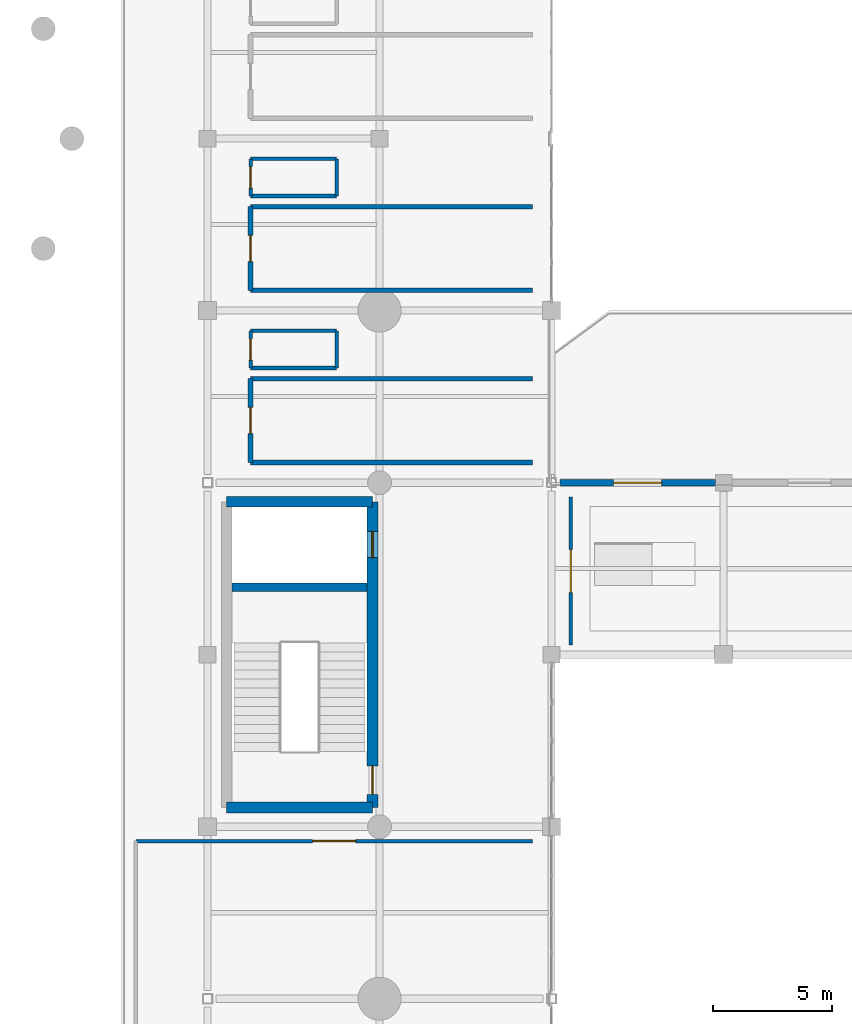
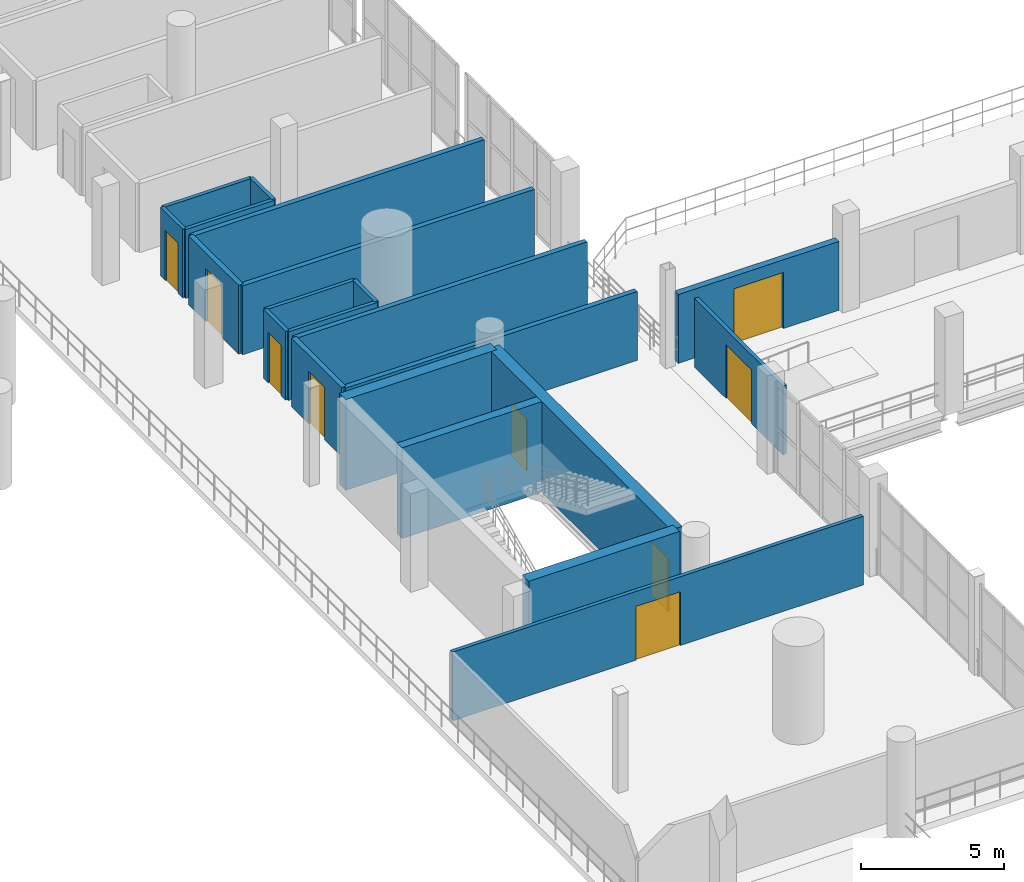
# One storey, part 105 of 130: 21 walls, 9 doors, 9 openings.
"""IFC4 building model written with IfcOpenShell, lengths in metres."""

import ifcopenshell
import ifcopenshell.guid

model = None  # the IFC model being written
_history = None  # IfcOwnerHistory: only IFC2X3 demands one
_inside = {}  # id of a spatial element -> (the spatial element, [elements in it])
_under = {}  # id of a project, library or spatial element -> (it, [spatial elements below it])
_declared = {}  # id of a project -> (the project, [libraries it declares])
_typed = {}  # id of a type object -> (the type object, [elements of that type])
_made_of = {}  # id of a material, layer set ... -> (it, [elements and type objects made of it])


def new_model(schema):
    """Start an empty IFC model of exactly this schema.

    Asked for "IFC4X3", IfcOpenShell would pick the latest addendum, in which some entities
    have other attributes; the version numbers below select the first issue.
    IFC2X3 requires an IfcOwnerHistory on every rooted entity: one is made here for all.
    """
    global model, _history
    if schema == "IFC4X3":
        model = ifcopenshell.file(schema_version=(4, 3, 0, 0))
    else:
        model = ifcopenshell.file(schema=schema)
    _inside.clear()
    _under.clear()
    _declared.clear()
    _typed.clear()
    _made_of.clear()
    _history = None
    if model.schema == "IFC2X3":
        org = make("IfcOrganization", Name="unknown")
        user = make(
            "IfcPersonAndOrganization",
            ThePerson=make("IfcPerson", FamilyName="unknown"),
            TheOrganization=org,
        )
        app = make(
            "IfcApplication",
            ApplicationDeveloper=org,
            Version="unknown",
            ApplicationFullName="unknown",
            ApplicationIdentifier="unknown",
        )
        _history = make(
            "IfcOwnerHistory",
            OwningUser=user,
            OwningApplication=app,
            ChangeAction="ADDED",
            CreationDate=0,
        )
    return model


def make(cls, **values):
    """One entity of the class cls with the attributes given. An attribute that is None is left unset."""
    return model.create_entity(
        cls, **{name: value for name, value in values.items() if value is not None}
    )


def rooted(cls, **values):
    """An entity with a GlobalId (a new one), such as an element, a storey or a relation."""
    return make(cls, GlobalId=ifcopenshell.guid.new(), OwnerHistory=_history, **values)


def si_unit(unit_type, name, prefix=None):
    """IfcSIUnit, for example si_unit("LENGTHUNIT", "METRE", prefix="MILLI")."""
    return make("IfcSIUnit", UnitType=unit_type, Prefix=prefix, Name=name)


def assignment(units):
    """IfcUnitAssignment: the units of a project."""
    return None if units is None else make("IfcUnitAssignment", Units=units)


def point(xyz):
    """IfcCartesianPoint."""
    return None if xyz is None else make("IfcCartesianPoint", Coordinates=xyz)


def direction(xyz):
    """IfcDirection."""
    return None if xyz is None else make("IfcDirection", DirectionRatios=xyz)


def frame(location, z_axis=None, x_axis=None):
    """IfcAxis2Placement3D, a coordinate frame: its origin and axes. An axis left out is left unset."""
    return make(
        "IfcAxis2Placement3D",
        Location=point(location),
        Axis=direction(z_axis),
        RefDirection=direction(x_axis),
    )


def frame_2d(location, x_axis=None):
    """IfcAxis2Placement2D, a coordinate frame in the plane: its origin and x axis."""
    return make(
        "IfcAxis2Placement2D", Location=point(location), RefDirection=direction(x_axis)
    )


def origin():
    """The frame at (0, 0, 0) with its axes left unset."""
    return frame((0.0, 0.0, 0.0))


def place(relative_to, where):
    """IfcLocalPlacement: puts the frame where relative to a parent placement (None: the world)."""
    return make(
        "IfcLocalPlacement", PlacementRelTo=relative_to, RelativePlacement=where
    )


def context(
    kind, dimensions, precision=None, world=None, true_north=None, identifier=None
):
    """IfcGeometricRepresentationContext, for example the 3D "Model" context."""
    return make(
        "IfcGeometricRepresentationContext",
        ContextIdentifier=identifier,
        ContextType=kind,
        CoordinateSpaceDimension=dimensions,
        Precision=precision,
        WorldCoordinateSystem=world,
        TrueNorth=true_north,
    )


def subcontext(parent, identifier, kind, view, scale=None):
    """IfcGeometricRepresentationSubContext, for example "Body" below "Model"."""
    return make(
        "IfcGeometricRepresentationSubContext",
        ContextIdentifier=identifier,
        ContextType=kind,
        ParentContext=parent,
        TargetScale=scale,
        TargetView=view,
    )


def project(units=None, contexts=None):
    """IfcProject with its units and contexts."""
    return rooted(
        "IfcProject",
        Name="project",
        RepresentationContexts=contexts,
        UnitsInContext=assignment(units),
    )


def spatial(cls, under=None, at=None, **own):
    """A site, building, storey or space (cls), placed at a placement, below another one or the project."""
    s = rooted(cls, ObjectPlacement=at, **own)
    if under is not None:
        _under.setdefault(under.id(), (under, []))[1].append(s)
    return s


def profile(cls, at=None, kind="AREA", **sizes):
    """A parametric profile (cls). Its sizes go by their IFC names, for example OverallWidth=200.0."""
    return make(cls, ProfileType=kind, Position=at, **sizes)


def rectangle(**sizes):
    """IfcRectangleProfileDef."""
    return profile("IfcRectangleProfileDef", **sizes)


def extrude(swept, where, along, depth):
    """IfcExtrudedAreaSolid: the profile swept, set in the frame where, extruded along a direction by depth."""
    return make(
        "IfcExtrudedAreaSolid",
        SweptArea=swept,
        Position=where,
        ExtrudedDirection=direction(along),
        Depth=depth,
    )


def shape(context_of_items, identifier, shape_type, items):
    """IfcShapeRepresentation: the items that make up one representation, for example the "Body"."""
    return make(
        "IfcShapeRepresentation",
        ContextOfItems=context_of_items,
        RepresentationIdentifier=identifier,
        RepresentationType=shape_type,
        Items=items,
    )


def material(Name=None, Category=None):
    """IfcMaterial."""
    return make("IfcMaterial", Name=Name, Category=Category)


def layer(
    of_material, thickness, ventilated=None, Name=None, Category=None, Priority=None
):
    """IfcMaterialLayer: one layer of a wall or slab, of a material (None: an air gap)."""
    return make(
        "IfcMaterialLayer",
        Material=of_material,
        LayerThickness=thickness,
        IsVentilated=ventilated,
        Name=Name,
        Category=Category,
        Priority=Priority,
    )


def layer_set(layers, Name=None):
    """IfcMaterialLayerSet."""
    return make("IfcMaterialLayerSet", MaterialLayers=layers, LayerSetName=Name)


def made_of(thing, what):
    """Note that an element or type object is made of a material, layer set ...; save() writes the relation."""
    if what is not None:
        _made_of.setdefault(what.id(), (what, []))[1].append(thing)
    return thing


def type_object(cls, material=None, **own):
    """A type object (cls), such as IfcWallType, which elements share."""
    return made_of(rooted(cls, **own), material)


def element(
    cls,
    number,
    at=None,
    inside=None,
    cuts=None,
    type_object=None,
    material=None,
    context=None,
    identifier="Body",
    shape_type=None,
    held_by="IfcProductDefinitionShape",
    body=None,
    shapes=None,
    **own,
):
    """One element of the class cls, such as IfcWall. Its Tag is "e" and its number.

    at: its placement. inside: the storey or other place that contains it. cuts: it is an
    opening in that element (IfcRelVoidsElement). A single representation is given by context,
    identifier, shape_type and body (its items); several are given by shapes. held_by: the class
    of the entity that holds the representations. save() writes the other relations.
    """
    e = rooted(cls, Tag="e%d" % number, ObjectPlacement=at, **own)
    if body is not None:
        shapes = [shape(context, identifier, shape_type, body)]
    if shapes is not None:
        e.Representation = make(held_by, Representations=shapes)
    if inside is not None:
        _inside.setdefault(inside.id(), (inside, []))[1].append(e)
    if cuts is not None:
        rooted(
            "IfcRelVoidsElement", RelatingBuildingElement=cuts, RelatedOpeningElement=e
        )
    if type_object is not None:
        _typed.setdefault(type_object.id(), (type_object, []))[1].append(e)
    return made_of(e, material)


def fill(opening, filler):
    """IfcRelFillsElement: the door or window that sits in an opening."""
    return rooted(
        "IfcRelFillsElement",
        RelatingOpeningElement=opening,
        RelatedBuildingElement=filler,
    )


def aggregate(whole, parts):
    """IfcRelAggregates: a whole, such as a stair, and the parts it consists of."""
    return rooted("IfcRelAggregates", RelatingObject=whole, RelatedObjects=parts)


def save(model, path):
    """Write the relations noted so far, then the file.

    IfcRelAggregates (storeys below a building ...), IfcRelContainedInSpatialStructure (elements
    in a storey), IfcRelDefinesByType, IfcRelAssociatesMaterial and IfcRelDeclares: one each for
    every whole, place, type object, material and project.
    """
    for whole, parts in _under.values():
        aggregate(whole, parts)
    for where, things in _inside.values():
        rooted(
            "IfcRelContainedInSpatialStructure",
            RelatedElements=things,
            RelatingStructure=where,
        )
    for kind, things in _typed.values():
        rooted("IfcRelDefinesByType", RelatedObjects=things, RelatingType=kind)
    for what, things in _made_of.values():
        rooted("IfcRelAssociatesMaterial", RelatedObjects=things, RelatingMaterial=what)
    for by, libraries in _declared.values():
        rooted("IfcRelDeclares", RelatingContext=by, RelatedDefinitions=libraries)
    model.write(path)


model = new_model("IFC4")

# Units and contexts
model_context = context("Model", 3, precision=1e-05, world=origin(), true_north=direction((0.0, 1.0)))
body_context = subcontext(model_context, "Body", "Model", "MODEL_VIEW")
ifc_project = project(units=[si_unit("LENGTHUNIT", "METRE"), si_unit("AREAUNIT", "SQUARE_METRE"), si_unit("VOLUMEUNIT", "CUBIC_METRE"), si_unit("PLANEANGLEUNIT", "RADIAN"), si_unit("MASSUNIT", "GRAM", prefix="KILO")], contexts=[model_context])

# Site, building, storey
site_placement = place(None, origin())
site = spatial("IfcSite", under=ifc_project, at=site_placement, CompositionType="ELEMENT")
building_placement = place(site_placement, origin())
building = spatial("IfcBuilding", under=site, at=building_placement, Name="Qandorah Velis Arena", CompositionType="ELEMENT")
storey_placement = place(building_placement, frame((0.0, 0.0, 9.60009765625)))
storey = spatial("IfcBuildingStorey", under=building, at=storey_placement, Name="L02", CompositionType="ELEMENT", Elevation=9.60009765625)

# Wall, opening, door
ifc_material_1 = material(Name="Precast concrete C40/50", Category="concrete")
ifc_layer_1 = layer(ifc_material_1, 0.260009765625)
ifc_layer_set_1 = layer_set([ifc_layer_1], Name="Precast concrete C40/50")
wall_type_1 = type_object("IfcWallType", Name="ARC-WAL-EXT260", PredefinedType="SOLIDWALL", material=ifc_layer_set_1)
wall_1_placement = place(storey_placement, frame((122.75, 50.39990234375, 0.0), z_axis=(0.0, 0.0, 1.0), x_axis=(1.0, 0.0, 0.0)))
wall_1 = element("IfcWall", 1, at=wall_1_placement, inside=storey, type_object=wall_type_1, Name="Oasis Terrace dining facade wall 1", PredefinedType="SOLIDWALL", context=body_context, shape_type="SweptSolid", body=[
    extrude(rectangle(XDim=6.5, YDim=0.260009765625, at=frame_2d((3.25, 0.0))), origin(), (0.0, 0.0, 1.0), 2.93994140625),
])
opening_1_placement = place(wall_1_placement, frame((2.25, 0.0, 0.0)))
opening_1 = element("IfcOpeningElement", 2, at=opening_1_placement, cuts=wall_1, Name="Opening OTD1", PredefinedType="OPENING", context=body_context, shape_type="SweptSolid", body=[
    extrude(rectangle(XDim=2.0, YDim=2.39990234375, at=frame_2d((1.0, 1.199951171875))), frame((0.0, 0.14013671875, 0.0), z_axis=(0.0, -1.0, 0.0), x_axis=(1.0, 0.0, 0.0)), (0.0, 0.0, 1.0), 0.280029296875),
])
ifc_material_2 = material(Name="Solar-control low-E double glazed aluminium door", Category="aluminium")
door_type_1 = type_object("IfcDoorType", Name="ARC-DR-TER2000", OperationType="NOTDEFINED", PredefinedType="DOOR", material=ifc_material_2)
door_1_placement = place(opening_1_placement, origin())
door_1 = element("IfcDoor", 3, at=door_1_placement, inside=storey, type_object=door_type_1, Name="Oasis Terrace glazed door OTD1", OperationType="SINGLE_SWING_LEFT", OverallHeight=2.39990234375, OverallWidth=2.0, PredefinedType="DOOR", context=body_context, shape_type="SweptSolid", body=[
    extrude(rectangle(XDim=2.0, YDim=2.39990234375, at=frame_2d((1.0, 1.199951171875))), frame((0.0, 0.02490234375, 0.0), z_axis=(0.0, -1.0, 0.0), x_axis=(1.0, 0.0, 0.0)), (0.0, 0.0, 1.0), 0.050048828125),
])
fill(opening_1, door_1)

# Walls
ifc_material_3 = material(Name="Concrete C35/45", Category="concrete")
ifc_layer_2 = layer(ifc_material_3, 0.199951171875)
ifc_layer_set_2 = layer_set([ifc_layer_2], Name="Concrete C35/45")
wall_type_2 = type_object("IfcWallType", Name="ARC-WAL-FD60-200", PredefinedType="PARTITIONING", material=ifc_layer_set_2)
for number, where, z_axis, x_axis, name in (
    (4, (109.800048828125, 51.25, 0.0), (0.0, 0.0, 1.0), (1.0, 0.0, 0.0), "Interior partition L02-HS-27 (S)"),
    (5, (121.60009765625, 54.75, 0.0), (0.0, 0.0, 1.0), (-1.0, 0.0, 0.0), "Interior partition L02-HS-27 (N)"),
):
    element("IfcWall", number, at=place(storey_placement, frame(where, z_axis=z_axis, x_axis=x_axis)), inside=storey, type_object=wall_type_2, Name=name, PredefinedType="PARTITIONING", context=body_context, shape_type="SweptSolid", body=[
        extrude(rectangle(XDim=11.800048828125, YDim=0.199951171875, at=frame_2d((5.89990234375, 0.0))), origin(), (0.0, 0.0, 1.0), 2.93994140625),
    ])

# Wall, opening, door
wall_2_placement = place(storey_placement, frame((109.800048828125, 54.75, 0.0), z_axis=(0.0, 0.0, 1.0), x_axis=(0.0, -1.0, 0.0)))
wall_2 = element("IfcWall", 6, at=wall_2_placement, inside=storey, type_object=wall_type_2, Name="Interior partition L02-HS-27 (W)", PredefinedType="PARTITIONING", context=body_context, shape_type="SweptSolid", body=[
    extrude(rectangle(XDim=3.5, YDim=0.199951171875, at=frame_2d((1.75, 0.0))), origin(), (0.0, 0.0, 1.0), 2.93994140625),
])
opening_2_placement = place(wall_2_placement, frame((1.199951171875, 0.0, 0.0)))
opening_2 = element("IfcOpeningElement", 7, at=opening_2_placement, cuts=wall_2, Name="Opening D7", PredefinedType="OPENING", context=body_context, shape_type="SweptSolid", body=[
    extrude(rectangle(XDim=1.10009765625, YDim=2.25, at=frame_2d((0.550048828125, 1.125))), frame((0.0, 0.10986328125, 0.0), z_axis=(0.0, -1.0, 0.0), x_axis=(1.0, 0.0, 0.0)), (0.0, 0.0, 1.0), 0.219970703125),
])
ifc_material_4 = material(Name="Hospitality suite acoustic walnut door")
door_type_2 = type_object("IfcDoorType", Name="ARC-DR-INT1100", OperationType="NOTDEFINED", PredefinedType="DOOR", material=ifc_material_4)
door_2_placement = place(opening_2_placement, origin())
door_2 = element("IfcDoor", 8, at=door_2_placement, inside=storey, type_object=door_type_2, Name="Door L02-HS-27", OperationType="SINGLE_SWING_LEFT", OverallHeight=2.25, OverallWidth=1.10009765625, PredefinedType="DOOR", context=body_context, shape_type="SweptSolid", body=[
    extrude(rectangle(XDim=1.10009765625, YDim=2.25, at=frame_2d((0.550048828125, 1.125))), frame((0.0, 0.02490234375, 0.0), z_axis=(0.0, -1.0, 0.0), x_axis=(1.0, 0.0, 0.0)), (0.0, 0.0, 1.0), 0.050048828125),
])
fill(opening_2, door_2)

# Walls
for number, where, z_axis, x_axis, name in (
    (9, (109.800048828125, 58.449951171875, 0.0), (0.0, 0.0, 1.0), (1.0, 0.0, 0.0), "Interior partition L02-HS-28 (S)"),
    (10, (121.60009765625, 61.949951171875, 0.0), (0.0, 0.0, 1.0), (-1.0, 0.0, 0.0), "Interior partition L02-HS-28 (N)"),
):
    element("IfcWall", number, at=place(storey_placement, frame(where, z_axis=z_axis, x_axis=x_axis)), inside=storey, type_object=wall_type_2, Name=name, PredefinedType="PARTITIONING", context=body_context, shape_type="SweptSolid", body=[
        extrude(rectangle(XDim=11.800048828125, YDim=0.199951171875, at=frame_2d((5.89990234375, 0.0))), origin(), (0.0, 0.0, 1.0), 2.93994140625),
    ])

# Wall, opening, door
wall_3_placement = place(storey_placement, frame((109.800048828125, 61.949951171875, 0.0), z_axis=(0.0, 0.0, 1.0), x_axis=(0.0, -1.0, 0.0)))
wall_3 = element("IfcWall", 11, at=wall_3_placement, inside=storey, type_object=wall_type_2, Name="Interior partition L02-HS-28 (W)", PredefinedType="PARTITIONING", context=body_context, shape_type="SweptSolid", body=[
    extrude(rectangle(XDim=3.5, YDim=0.199951171875, at=frame_2d((1.75, 0.0))), origin(), (0.0, 0.0, 1.0), 2.93994140625),
])
opening_3_placement = place(wall_3_placement, frame((1.199951171875, 0.0, 0.0)))
opening_3 = element("IfcOpeningElement", 12, at=opening_3_placement, cuts=wall_3, Name="Opening D7", PredefinedType="OPENING", context=body_context, shape_type="SweptSolid", body=[
    extrude(rectangle(XDim=1.10009765625, YDim=2.25, at=frame_2d((0.550048828125, 1.125))), frame((0.0, 0.10986328125, 0.0), z_axis=(0.0, -1.0, 0.0), x_axis=(1.0, 0.0, 0.0)), (0.0, 0.0, 1.0), 0.219970703125),
])
door_3_placement = place(opening_3_placement, origin())
door_3 = element("IfcDoor", 13, at=door_3_placement, inside=storey, type_object=door_type_2, Name="Door L02-HS-28", OperationType="SINGLE_SWING_LEFT", OverallHeight=2.25, OverallWidth=1.10009765625, PredefinedType="DOOR", context=body_context, shape_type="SweptSolid", body=[
    extrude(rectangle(XDim=1.10009765625, YDim=2.25, at=frame_2d((0.550048828125, 1.125))), frame((0.0, 0.02490234375, 0.0), z_axis=(0.0, -1.0, 0.0), x_axis=(1.0, 0.0, 0.0)), (0.0, 0.0, 1.0), 0.050048828125),
])
fill(opening_3, door_3)

ifc_layer_3 = layer(ifc_material_3, 0.14990234375)
ifc_layer_set_3 = layer_set([ifc_layer_3], Name="Concrete C35/45")
wall_type_3 = type_object("IfcWallType", Name="ARC-WAL-PART150", PredefinedType="PARTITIONING", material=ifc_layer_set_3)
wall_4_placement = place(storey_placement, frame((123.199951171875, 49.800048828125, 0.0), z_axis=(0.0, 0.0, 1.0), x_axis=(0.0, -1.0, 0.0)))
wall_4 = element("IfcWall", 14, at=wall_4_placement, inside=storey, type_object=wall_type_3, Name="Interior partition L02-SUITE-DINING (W)", PredefinedType="PARTITIONING", context=body_context, shape_type="SweptSolid", body=[
    extrude(rectangle(XDim=6.199951171875, YDim=0.14990234375, at=frame_2d((3.10009765625, 0.0))), origin(), (0.0, 0.0, 1.0), 2.93994140625),
])
opening_4_placement = place(wall_4_placement, frame((2.199951171875, 0.0, 0.0)))
opening_4 = element("IfcOpeningElement", 15, at=opening_4_placement, cuts=wall_4, Name="Opening D3", PredefinedType="OPENING", context=body_context, shape_type="SweptSolid", body=[
    extrude(rectangle(XDim=1.800048828125, YDim=2.300048828125, at=frame_2d((0.89990234375, 1.14990234375))), frame((0.0, 0.0849609375, 0.0), z_axis=(0.0, -1.0, 0.0), x_axis=(1.0, 0.0, 0.0)), (0.0, 0.0, 1.0), 0.169921875),
])
ifc_material_5 = material(Name="Double-leaf acoustic timber door", Category="wood")
door_type_3 = type_object("IfcDoorType", Name="ARC-DR-DBL1800", OperationType="NOTDEFINED", PredefinedType="DOOR", material=ifc_material_5)
door_4_placement = place(opening_4_placement, origin())
door_4 = element("IfcDoor", 16, at=door_4_placement, inside=storey, type_object=door_type_3, Name="Door L02-SUITE-DINING", OperationType="DOUBLE_DOOR_SINGLE_SWING", OverallHeight=2.300048828125, OverallWidth=1.800048828125, PredefinedType="DOOR", context=body_context, shape_type="SweptSolid", body=[
    extrude(rectangle(XDim=1.800048828125, YDim=2.300048828125, at=frame_2d((0.89990234375, 1.14990234375))), frame((0.0, 0.02490234375, 0.0), z_axis=(0.0, -1.0, 0.0), x_axis=(1.0, 0.0, 0.0)), (0.0, 0.0, 1.0), 0.050048828125),
])
fill(opening_4, door_4)

wall_5_placement = place(storey_placement, frame((121.60009765625, 35.39990234375, 0.0), z_axis=(0.0, 0.0, 1.0), x_axis=(-1.0, 0.0, 0.0)))
wall_5 = element("IfcWall", 17, at=wall_5_placement, inside=storey, type_object=wall_type_3, Name="Interior partition L02-SOMM-LNG (N)", PredefinedType="PARTITIONING", context=body_context, shape_type="SweptSolid", body=[
    extrude(rectangle(XDim=16.60009765625, YDim=0.14990234375, at=frame_2d((8.300048828125, 0.0))), origin(), (0.0, 0.0, 1.0), 2.93994140625),
])
opening_5_placement = place(wall_5_placement, frame((7.39990234375, 0.0, 0.0)))
opening_5 = element("IfcOpeningElement", 18, at=opening_5_placement, cuts=wall_5, Name="Opening D3", PredefinedType="OPENING", context=body_context, shape_type="SweptSolid", body=[
    extrude(rectangle(XDim=1.800048828125, YDim=2.300048828125, at=frame_2d((0.89990234375, 1.14990234375))), frame((0.0, 0.0849609375, 0.0), z_axis=(0.0, -1.0, 0.0), x_axis=(1.0, 0.0, 0.0)), (0.0, 0.0, 1.0), 0.169921875),
])
door_5_placement = place(opening_5_placement, origin())
door_5 = element("IfcDoor", 19, at=door_5_placement, inside=storey, type_object=door_type_3, Name="Door L02-SOMM-LNG", OperationType="DOUBLE_DOOR_SINGLE_SWING", OverallHeight=2.300048828125, OverallWidth=1.800048828125, PredefinedType="DOOR", context=body_context, shape_type="SweptSolid", body=[
    extrude(rectangle(XDim=1.800048828125, YDim=2.300048828125, at=frame_2d((0.89990234375, 1.14990234375))), frame((0.0, 0.02490234375, 0.0), z_axis=(0.0, -1.0, 0.0), x_axis=(1.0, 0.0, 0.0)), (0.0, 0.0, 1.0), 0.050048828125),
])
fill(opening_5, door_5)

# Walls
wall_6_placement = place(storey_placement, frame((109.800048828125, 55.199951171875, 0.0), z_axis=(0.0, 0.0, 1.0), x_axis=(1.0, 0.0, 0.0)))
element("IfcWall", 20, at=wall_6_placement, inside=storey, type_object=wall_type_3, Name="Interior partition L02-HSWC-27 (S)", PredefinedType="PARTITIONING", context=body_context, shape_type="SweptSolid", body=[
    extrude(rectangle(XDim=3.599853515625, YDim=0.14990234375, at=frame_2d((1.7998046875, 0.0))), origin(), (0.0, 0.0, 1.0), 2.93994140625),
])
wall_7_placement = place(storey_placement, frame((113.39990234375, 55.199951171875, 0.0), z_axis=(0.0, 0.0, 1.0), x_axis=(0.0, 1.0, 0.0)))
element("IfcWall", 21, at=wall_7_placement, inside=storey, type_object=wall_type_3, Name="Interior partition L02-HSWC-27 (E)", PredefinedType="PARTITIONING", context=body_context, shape_type="SweptSolid", body=[
    extrude(rectangle(XDim=1.550048828125, YDim=0.14990234375, at=frame_2d((0.77490234375, 0.0))), origin(), (0.0, 0.0, 1.0), 2.93994140625),
])
wall_8_placement = place(storey_placement, frame((113.39990234375, 56.75, 0.0), z_axis=(0.0, 0.0, 1.0), x_axis=(-1.0, 0.0, 0.0)))
element("IfcWall", 22, at=wall_8_placement, inside=storey, type_object=wall_type_3, Name="Interior partition L02-HSWC-27 (N)", PredefinedType="PARTITIONING", context=body_context, shape_type="SweptSolid", body=[
    extrude(rectangle(XDim=3.599853515625, YDim=0.14990234375, at=frame_2d((1.7998046875, 0.0))), origin(), (0.0, 0.0, 1.0), 2.93994140625),
])

# Wall, opening, door
wall_9_placement = place(storey_placement, frame((109.800048828125, 56.75, 0.0), z_axis=(0.0, 0.0, 1.0), x_axis=(0.0, -1.0, 0.0)))
wall_9 = element("IfcWall", 23, at=wall_9_placement, inside=storey, type_object=wall_type_3, Name="Interior partition L02-HSWC-27 (W)", PredefinedType="PARTITIONING", context=body_context, shape_type="SweptSolid", body=[
    extrude(rectangle(XDim=1.550048828125, YDim=0.14990234375, at=frame_2d((0.77490234375, 0.0))), origin(), (0.0, 0.0, 1.0), 2.93994140625),
])
opening_6_placement = place(wall_9_placement, frame((0.324951171875, 0.0, 0.0)))
opening_6 = element("IfcOpeningElement", 24, at=opening_6_placement, cuts=wall_9, Name="Opening D8", PredefinedType="OPENING", context=body_context, shape_type="SweptSolid", body=[
    extrude(rectangle(XDim=0.89990234375, YDim=2.14990234375, at=frame_2d((0.449951171875, 1.074951171875))), frame((0.0, 0.0849609375, 0.0), z_axis=(0.0, -1.0, 0.0), x_axis=(1.0, 0.0, 0.0)), (0.0, 0.0, 1.0), 0.169921875),
])
ifc_material_6 = material(Name="Suite en-suite walnut door")
door_type_4 = type_object("IfcDoorType", Name="ARC-DR-WC900", OperationType="NOTDEFINED", PredefinedType="DOOR", material=ifc_material_6)
door_6_placement = place(opening_6_placement, frame((0.89990234375, 0.0, 0.0), z_axis=(0.0, 0.0, 1.0), x_axis=(-1.0, 0.0, 0.0)))
door_6 = element("IfcDoor", 25, at=door_6_placement, inside=storey, type_object=door_type_4, Name="Door L02-HSWC-27", OperationType="SINGLE_SWING_RIGHT", OverallHeight=2.14990234375, OverallWidth=0.89990234375, PredefinedType="DOOR", context=body_context, shape_type="SweptSolid", body=[
    extrude(rectangle(XDim=0.89990234375, YDim=2.14990234375, at=frame_2d((0.449951171875, 1.074951171875))), frame((0.0, 0.02490234375, 0.0), z_axis=(0.0, -1.0, 0.0), x_axis=(1.0, 0.0, 0.0)), (0.0, 0.0, 1.0), 0.050048828125),
])
fill(opening_6, door_6)

# Walls
wall_10_placement = place(storey_placement, frame((109.800048828125, 62.39990234375, 0.0), z_axis=(0.0, 0.0, 1.0), x_axis=(1.0, 0.0, 0.0)))
element("IfcWall", 26, at=wall_10_placement, inside=storey, type_object=wall_type_3, Name="Interior partition L02-HSWC-28 (S)", PredefinedType="PARTITIONING", context=body_context, shape_type="SweptSolid", body=[
    extrude(rectangle(XDim=3.599853515625, YDim=0.14990234375, at=frame_2d((1.7998046875, 0.0))), origin(), (0.0, 0.0, 1.0), 2.93994140625),
])
wall_11_placement = place(storey_placement, frame((113.39990234375, 62.39990234375, 0.0), z_axis=(0.0, 0.0, 1.0), x_axis=(0.0, 1.0, 0.0)))
element("IfcWall", 27, at=wall_11_placement, inside=storey, type_object=wall_type_3, Name="Interior partition L02-HSWC-28 (E)", PredefinedType="PARTITIONING", context=body_context, shape_type="SweptSolid", body=[
    extrude(rectangle(XDim=1.550048828125, YDim=0.14990234375, at=frame_2d((0.77490234375, 0.0))), origin(), (0.0, 0.0, 1.0), 2.93994140625),
])
wall_12_placement = place(storey_placement, frame((113.39990234375, 63.949951171875, 0.0), z_axis=(0.0, 0.0, 1.0), x_axis=(-1.0, 0.0, 0.0)))
element("IfcWall", 28, at=wall_12_placement, inside=storey, type_object=wall_type_3, Name="Interior partition L02-HSWC-28 (N)", PredefinedType="PARTITIONING", context=body_context, shape_type="SweptSolid", body=[
    extrude(rectangle(XDim=3.599853515625, YDim=0.14990234375, at=frame_2d((1.7998046875, 0.0))), origin(), (0.0, 0.0, 1.0), 2.93994140625),
])

# Wall, opening, door
wall_13_placement = place(storey_placement, frame((109.800048828125, 63.949951171875, 0.0), z_axis=(0.0, 0.0, 1.0), x_axis=(0.0, -1.0, 0.0)))
wall_13 = element("IfcWall", 29, at=wall_13_placement, inside=storey, type_object=wall_type_3, Name="Interior partition L02-HSWC-28 (W)", PredefinedType="PARTITIONING", context=body_context, shape_type="SweptSolid", body=[
    extrude(rectangle(XDim=1.550048828125, YDim=0.14990234375, at=frame_2d((0.77490234375, 0.0))), origin(), (0.0, 0.0, 1.0), 2.93994140625),
])
opening_7_placement = place(wall_13_placement, frame((0.324951171875, 0.0, 0.0)))
opening_7 = element("IfcOpeningElement", 30, at=opening_7_placement, cuts=wall_13, Name="Opening D8", PredefinedType="OPENING", context=body_context, shape_type="SweptSolid", body=[
    extrude(rectangle(XDim=0.89990234375, YDim=2.14990234375, at=frame_2d((0.449951171875, 1.074951171875))), frame((0.0, 0.0849609375, 0.0), z_axis=(0.0, -1.0, 0.0), x_axis=(1.0, 0.0, 0.0)), (0.0, 0.0, 1.0), 0.169921875),
])
door_7_placement = place(opening_7_placement, frame((0.89990234375, 0.0, 0.0), z_axis=(0.0, 0.0, 1.0), x_axis=(-1.0, 0.0, 0.0)))
door_7 = element("IfcDoor", 31, at=door_7_placement, inside=storey, type_object=door_type_4, Name="Door L02-HSWC-28", OperationType="SINGLE_SWING_RIGHT", OverallHeight=2.14990234375, OverallWidth=0.89990234375, PredefinedType="DOOR", context=body_context, shape_type="SweptSolid", body=[
    extrude(rectangle(XDim=0.89990234375, YDim=2.14990234375, at=frame_2d((0.449951171875, 1.074951171875))), frame((0.0, 0.02490234375, 0.0), z_axis=(0.0, -1.0, 0.0), x_axis=(1.0, 0.0, 0.0)), (0.0, 0.0, 1.0), 0.050048828125),
])
fill(opening_7, door_7)

# Walls
ifc_material_7 = material(Name="Concrete C40/50", Category="concrete")
ifc_layer_4 = layer(ifc_material_7, 0.449951171875)
ifc_layer_set_4 = layer_set([ifc_layer_4], Name="Concrete C40/50")
wall_type_4 = type_object("IfcWallType", Name="STR-WAL-CORE450", PredefinedType="SHEAR", material=ifc_layer_set_4)
for number, where, z_axis, x_axis, name in (
    (32, (108.800048828125, 36.800048828125, 0.0), (0.0, 0.0, 1.0), (1.0, 0.0, 0.0), "Core CORE-11 shear wall S (L02)"),
    (33, (108.800048828125, 49.60009765625, 0.0), (0.0, 0.0, 1.0), (1.0, 0.0, 0.0), "Core CORE-11 shear wall N (L02)"),
):
    element("IfcWall", number, at=place(storey_placement, frame(where, z_axis=z_axis, x_axis=x_axis)), inside=storey, type_object=wall_type_4, Name=name, PredefinedType="SHEAR", context=body_context, shape_type="SweptSolid", body=[
        extrude(rectangle(XDim=6.099853515625, YDim=0.449951171875, at=frame_2d((3.0498046875, 0.0))), origin(), (0.0, 0.0, 1.0), 3.8798828125),
    ])

# Wall, openings, doors
wall_14_placement = place(storey_placement, frame((114.89990234375, 36.800048828125, 0.0), z_axis=(0.0, 0.0, 1.0), x_axis=(0.0, 1.0, 0.0)))
wall_14 = element("IfcWall", 34, at=wall_14_placement, inside=storey, type_object=wall_type_4, Name="Core CORE-11 shear wall E (L02)", PredefinedType="SHEAR", context=body_context, shape_type="SweptSolid", body=[
    extrude(rectangle(XDim=12.800048828125, YDim=0.449951171875, at=frame_2d((6.39990234375, 0.0))), origin(), (0.0, 0.0, 1.0), 3.8798828125),
])
opening_8_placement = place(wall_14_placement, frame((0.550048828125, 0.0, 0.0)))
opening_8 = element("IfcOpeningElement", 35, at=opening_8_placement, cuts=wall_14, Name="Opening SD1", PredefinedType="OPENING", context=body_context, shape_type="SweptSolid", body=[
    extrude(rectangle(XDim=1.199951171875, YDim=2.25, at=frame_2d((0.60009765625, 1.125))), frame((0.0, 0.23486328125, 0.0), z_axis=(0.0, -1.0, 0.0), x_axis=(1.0, 0.0, 0.0)), (0.0, 0.0, 1.0), 0.469970703125),
])
opening_9_placement = place(wall_14_placement, frame((10.4580078125, 0.0, 0.0)))
opening_9 = element("IfcOpeningElement", 36, at=opening_9_placement, cuts=wall_14, Name="Opening LD1", PredefinedType="OPENING", context=body_context, shape_type="SweptSolid", body=[
    extrude(rectangle(XDim=1.10009765625, YDim=2.199951171875, at=frame_2d((0.550048828125, 1.10009765625))), frame((0.0, 0.23486328125, 0.0), z_axis=(0.0, -1.0, 0.0), x_axis=(1.0, 0.0, 0.0)), (0.0, 0.0, 1.0), 0.469970703125),
])
ifc_material_8 = material(Name="Stainless steel sliding lift landing door", Category="steel")
door_type_5 = type_object("IfcDoorType", Name="ARC-DR-LD1100", OperationType="NOTDEFINED", PredefinedType="DOOR", material=ifc_material_8)
door_8_placement = place(opening_9_placement, origin())
door_8 = element("IfcDoor", 37, at=door_8_placement, inside=storey, type_object=door_type_5, Name="Lift PL8 sliding landing door (L02)", OperationType="SLIDING_TO_LEFT", OverallHeight=2.199951171875, OverallWidth=1.10009765625, PredefinedType="DOOR", context=body_context, shape_type="SweptSolid", body=[
    extrude(rectangle(XDim=1.10009765625, YDim=2.199951171875, at=frame_2d((0.550048828125, 1.10009765625))), frame((0.0, 0.02490234375, 0.0), z_axis=(0.0, -1.0, 0.0), x_axis=(1.0, 0.0, 0.0)), (0.0, 0.0, 1.0), 0.050048828125),
])
fill(opening_9, door_8)
ifc_material_9 = material(Name="Self-closing fire-rated stair steel door", Category="steel")
door_type_6 = type_object("IfcDoorType", Name="ARC-DR-ST1200", OperationType="NOTDEFINED", PredefinedType="DOOR", material=ifc_material_9)
door_9_placement = place(opening_8_placement, origin())
door_9 = element("IfcDoor", 38, at=door_9_placement, inside=storey, type_object=door_type_6, Name="Stair ST11 fire door (L02)", OperationType="SINGLE_SWING_RIGHT", OverallHeight=2.25, OverallWidth=1.199951171875, PredefinedType="DOOR", context=body_context, shape_type="SweptSolid", body=[
    extrude(rectangle(XDim=1.199951171875, YDim=2.25, at=frame_2d((0.60009765625, 1.125))), frame((0.0, 0.02490234375, 0.0), z_axis=(0.0, -1.0, 0.0), x_axis=(1.0, 0.0, 0.0)), (0.0, 0.0, 1.0), 0.050048828125),
])
fill(opening_8, door_9)

# Wall
ifc_layer_5 = layer(ifc_material_7, 0.35009765625)
ifc_layer_set_5 = layer_set([ifc_layer_5], Name="Concrete C40/50")
wall_type_5 = type_object("IfcWallType", Name="STR-WAL-SH350", PredefinedType="SHEAR", material=ifc_layer_set_5)
wall_15_placement = place(storey_placement, frame((109.02490234375, 46.01611328125, 0.0), z_axis=(0.0, 0.0, 1.0), x_axis=(1.0, 0.0, 0.0)))
element("IfcWall", 39, at=wall_15_placement, inside=storey, type_object=wall_type_5, Name="Core CORE-11 shaft divider shear wall (L02)", PredefinedType="SHEAR", context=body_context, shape_type="SweptSolid", body=[
    extrude(rectangle(XDim=5.650146484375, YDim=0.35009765625, at=frame_2d((2.8251953125, 0.0))), origin(), (0.0, 0.0, 1.0), 3.8798828125),
])

save(model, "model.ifc")
